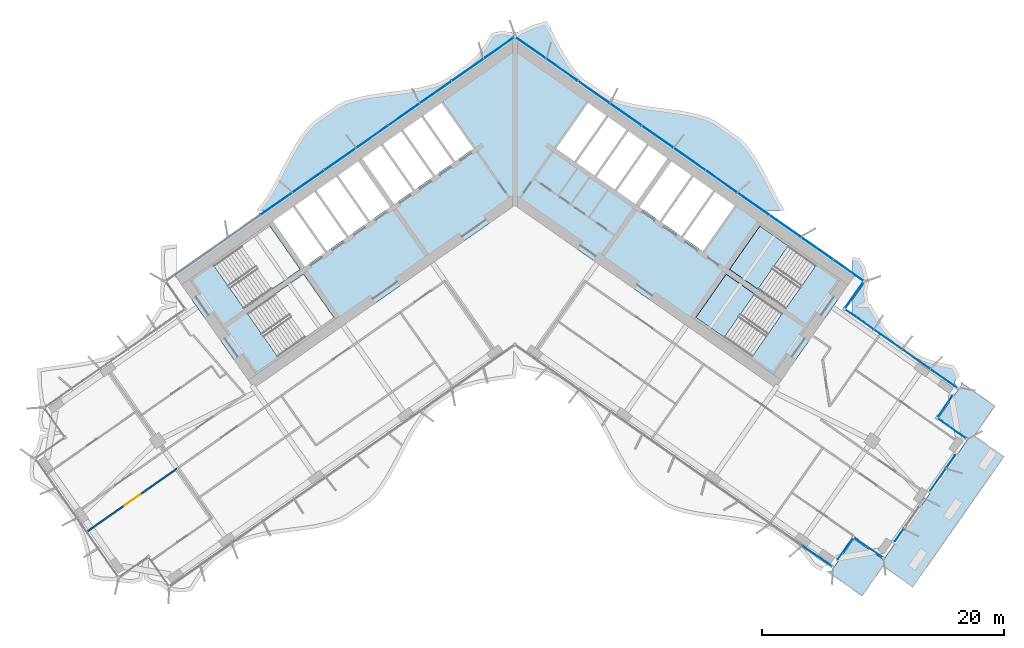
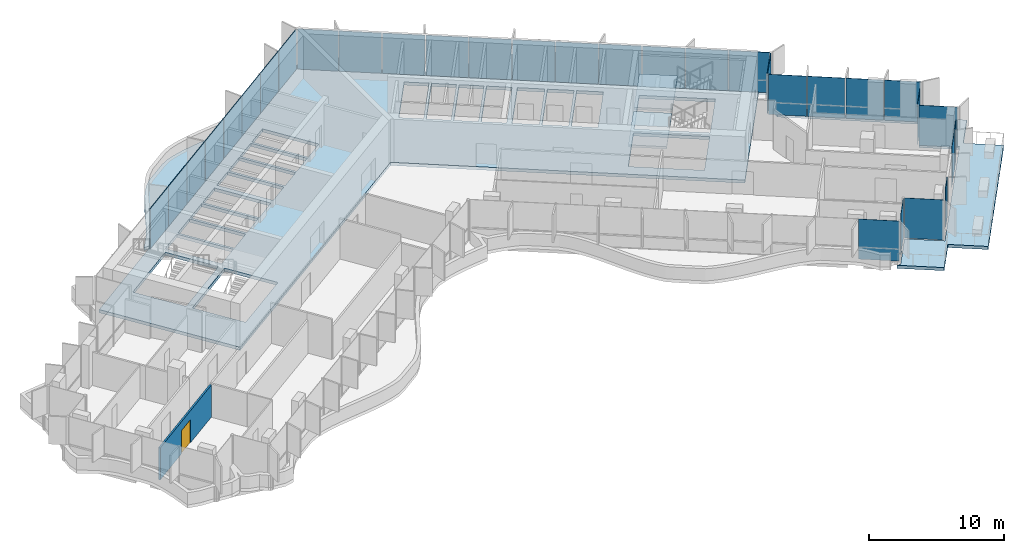
# One storey, part 11 of 22: 32 plates, 6 slabs, 1 door, 1 wall, 1 opening, 5 elements without a shape of their own.
"""IFC4 building model written with IfcOpenShell, lengths in metres."""

from ifc_helpers import new_model, si_unit, direction, frame, frame_2d, origin, origin_2d, place, context, subcontext, project, spatial, polyline, rectangle, outline, extrude, material, layer, layer_set, type_object, element, fill, aggregate, save


model = new_model("IFC4")

# Units and contexts
model_context = context("Model", 3, precision=1e-05, world=origin(), true_north=direction((0.0, 1.0)))
body_context = subcontext(model_context, "Body", "Model", "MODEL_VIEW")
ifc_project = project(units=[si_unit("LENGTHUNIT", "METRE"), si_unit("AREAUNIT", "SQUARE_METRE"), si_unit("VOLUMEUNIT", "CUBIC_METRE"), si_unit("PLANEANGLEUNIT", "RADIAN"), si_unit("MASSUNIT", "GRAM", prefix="KILO")], contexts=[model_context])

# Site, building, storey
site_placement = place(None, origin())
site = spatial("IfcSite", under=ifc_project, at=site_placement, CompositionType="ELEMENT")
building_placement = place(site_placement, origin())
building = spatial("IfcBuilding", under=site, at=building_placement, Name="Tel Ilan Convention Tower", CompositionType="ELEMENT")
storey_placement = place(building_placement, frame((0.0, 0.0, 143.699951171875)))
storey = spatial("IfcBuildingStorey", under=building, at=storey_placement, Name="L32", CompositionType="ELEMENT", Elevation=143.699951171875)

# Curtain wall, plates
ifc_material_1 = material(Name="Aluminium, bronze anodised", Category="aluminium")
curtain_wall_type_1 = type_object("IfcCurtainWallType", Name="CW4 STICK CURTAIN WALL, OFFICE TINTED GLASS", PredefinedType="NOTDEFINED", material=ifc_material_1)
curtain_wall_1_placement = place(storey_placement, origin())
curtain_wall_1 = element("IfcCurtainWall", 1, at=curtain_wall_1_placement, inside=storey, type_object=curtain_wall_type_1, Name="Curtain wall CW4-26.02", PredefinedType="NOTDEFINED")
ifc_material_2 = material(Name="Glass, bronze tinted, two-ply", Category="glass")
ifc_layer_1 = layer(ifc_material_2, 0.028076171875)
ifc_layer_set_1 = layer_set([ifc_layer_1], Name="CW GLASS PANEL 28")
plate_type_1 = type_object("IfcPlateType", Name="CW GLASS PANEL 28", PredefinedType="CURTAIN_PANEL", material=ifc_layer_set_1)
plate_1_placement = place(storey_placement, frame((34.935791015625, -23.854248046875, 0.0), z_axis=(0.0, 0.0, 1.0), x_axis=(0.573576436351, 0.819152044289, 0.0)))
plate_1 = element("IfcPlate", 2, at=plate_1_placement, type_object=plate_type_1, Name="Glass panel", PredefinedType="CURTAIN_PANEL", context=body_context, shape_type="SweptSolid", body=[
    extrude(rectangle(XDim=2.243896484375, YDim=0.028076171875, at=origin_2d()), origin(), (0.0, 0.0, 1.0), 3.6201171875),
])
plate_2_placement = place(storey_placement, frame((35.970458984375, -22.376708984375, 0.0), z_axis=(0.0, 0.0, 1.0), x_axis=(0.573576436351, 0.819152044289, 0.0)))
plate_2 = element("IfcPlate", 3, at=plate_2_placement, type_object=plate_type_1, Name="Glass panel", PredefinedType="CURTAIN_PANEL", context=body_context, shape_type="SweptSolid", body=[
    extrude(rectangle(XDim=1.243896484375, YDim=0.028076171875, at=origin_2d()), origin(), (0.0, 0.0, 1.0), 3.6201171875),
])
plate_3_placement = place(storey_placement, frame((36.09130859375, -19.656005859375, 0.0), z_axis=(0.0, 0.0, 1.0), x_axis=(-0.819152044289, 0.573576436351, 0.0)))
plate_3 = element("IfcPlate", 4, at=plate_3_placement, type_object=plate_type_1, Name="Glass panel", PredefinedType="CURTAIN_PANEL", context=body_context, shape_type="SweptSolid", body=[
    extrude(rectangle(XDim=2.875, YDim=0.028076171875, at=origin_2d()), origin(), (0.0, 0.0, 1.0), 3.6201171875),
])
plate_4_placement = place(storey_placement, frame((35.497802734375, -17.8212890625, 0.0), z_axis=(0.0, 0.0, 1.0), x_axis=(0.573576436351, 0.819152044289, 0.0)))
plate_4 = element("IfcPlate", 5, at=plate_4_placement, type_object=plate_type_1, Name="Glass panel", PredefinedType="CURTAIN_PANEL", context=body_context, shape_type="SweptSolid", body=[
    extrude(rectangle(XDim=2.123046875, YDim=0.028076171875, at=origin_2d()), origin(), (0.0, 0.0, 1.0), 3.6201171875),
])
plate_5_placement = place(storey_placement, frame((35.427978515625, -15.529052734375, 0.0), z_axis=(0.0, 0.0, 1.0), x_axis=(-0.819152044289, 0.573576436351, 0.0)))
plate_5 = element("IfcPlate", 6, at=plate_5_placement, type_object=plate_type_1, Name="Glass panel", PredefinedType="CURTAIN_PANEL", context=body_context, shape_type="SweptSolid", body=[
    extrude(rectangle(XDim=2.696044921875, YDim=0.028076171875, at=origin_2d()), origin(), (0.0, 0.0, 1.0), 3.6201171875),
])
plate_6_placement = place(storey_placement, frame((33.1318359375, -13.92138671875, 0.0), z_axis=(0.0, 0.0, 1.0), x_axis=(-0.819152044289, 0.573576436351, 0.0)))
plate_6 = element("IfcPlate", 7, at=plate_6_placement, type_object=plate_type_1, Name="Glass panel", PredefinedType="CURTAIN_PANEL", context=body_context, shape_type="SweptSolid", body=[
    extrude(rectangle(XDim=2.7900390625, YDim=0.028076171875, at=origin_2d()), origin(), (0.0, 0.0, 1.0), 3.6201171875),
])
plate_7_placement = place(storey_placement, frame((30.79736328125, -12.28662109375, 0.0), z_axis=(0.0, 0.0, 1.0), x_axis=(-0.819152044289, 0.573576436351, 0.0)))
plate_7 = element("IfcPlate", 8, at=plate_7_placement, type_object=plate_type_1, Name="Glass panel", PredefinedType="CURTAIN_PANEL", context=body_context, shape_type="SweptSolid", body=[
    extrude(rectangle(XDim=2.7900390625, YDim=0.028076171875, at=origin_2d()), origin(), (0.0, 0.0, 1.0), 3.6201171875),
])
plate_8_placement = place(storey_placement, frame((28.450927734375, -10.6435546875, 0.0), z_axis=(0.0, 0.0, 1.0), x_axis=(-0.819152044289, 0.573576436351, 0.0)))
plate_8 = element("IfcPlate", 9, at=plate_8_placement, type_object=plate_type_1, Name="Glass panel", PredefinedType="CURTAIN_PANEL", context=body_context, shape_type="SweptSolid", body=[
    extrude(rectangle(XDim=2.819091796875, YDim=0.028076171875, at=origin_2d()), origin(), (0.0, 0.0, 1.0), 3.6201171875),
])
aggregate(curtain_wall_1, [plate_1, plate_2, plate_3, plate_4, plate_5, plate_6, plate_7, plate_8])

curtain_wall_2_placement = place(storey_placement, origin())
curtain_wall_2 = element("IfcCurtainWall", 10, at=curtain_wall_2_placement, inside=storey, type_object=curtain_wall_type_1, Name="Curtain wall CW4-26.04", PredefinedType="NOTDEFINED")
plate_9_placement = place(storey_placement, frame((24.958251953125, -30.172119140625, 0.0), z_axis=(0.0, 0.0, 1.0), x_axis=(0.819152044289, -0.573576436351, 0.0)))
plate_9 = element("IfcPlate", 11, at=plate_9_placement, type_object=plate_type_1, Name="Glass panel", PredefinedType="CURTAIN_PANEL", context=body_context, shape_type="SweptSolid", body=[
    extrude(rectangle(XDim=3.05078125, YDim=0.028076171875, at=origin_2d()), origin(), (0.0, 0.0, 1.0), 3.6201171875),
])
plate_10_placement = place(storey_placement, frame((27.281494140625, -29.5556640625, 0.0), z_axis=(0.0, 0.0, 1.0), x_axis=(0.573576436351, 0.819152044289, 0.0)))
plate_10 = element("IfcPlate", 12, at=plate_10_placement, type_object=plate_type_1, Name="Glass panel", PredefinedType="CURTAIN_PANEL", context=body_context, shape_type="SweptSolid", body=[
    extrude(rectangle(XDim=2.123046875, YDim=0.028076171875, at=origin_2d()), origin(), (0.0, 0.0, 1.0), 3.6201171875),
])
plate_11_placement = place(storey_placement, frame((29.20849609375, -29.48583984375, 0.0), z_axis=(0.0, 0.0, 1.0), x_axis=(0.819152044289, -0.573576436351, 0.0)))
plate_11 = element("IfcPlate", 13, at=plate_11_placement, type_object=plate_type_1, Name="Glass panel", PredefinedType="CURTAIN_PANEL", context=body_context, shape_type="SweptSolid", body=[
    extrude(rectangle(XDim=2.875, YDim=0.028076171875, at=origin_2d()), origin(), (0.0, 0.0, 1.0), 3.6201171875),
])
plate_12_placement = place(storey_placement, frame((31.7236328125, -28.441650390625, 0.0), z_axis=(0.0, 0.0, 1.0), x_axis=(0.573576436351, 0.819152044289, 0.0)))
plate_12 = element("IfcPlate", 14, at=plate_12_placement, type_object=plate_type_1, Name="Glass panel", PredefinedType="CURTAIN_PANEL", context=body_context, shape_type="SweptSolid", body=[
    extrude(rectangle(XDim=1.243896484375, YDim=0.028076171875, at=origin_2d()), origin(), (0.0, 0.0, 1.0), 3.6201171875),
])
aggregate(curtain_wall_2, [plate_9, plate_10, plate_11, plate_12])

ifc_material_3 = material(Name="Aluminium, bronze anodised", Category="aluminium")
curtain_wall_type_2 = type_object("IfcCurtainWallType", Name="CW2 STICK CURTAIN WALL, SPANDREL PANELS", PredefinedType="NOTDEFINED", material=ifc_material_3)
curtain_wall_3_placement = place(storey_placement, origin())
curtain_wall_3 = element("IfcCurtainWall", 15, at=curtain_wall_3_placement, inside=storey, type_object=curtain_wall_type_2, Name="Curtain wall CW2-26.03", PredefinedType="NOTDEFINED")
ifc_material_4 = material(Name="Aluminium composite panel, bronze anodised", Category="aluminium")
ifc_layer_2 = layer(ifc_material_4, 0.06005859375)
ifc_layer_set_2 = layer_set([ifc_layer_2], Name="CW SPANDREL PANEL 60")
plate_type_2 = type_object("IfcPlateType", Name="CW SPANDREL PANEL 60", PredefinedType="CURTAIN_PANEL", material=ifc_layer_set_2)
plate_13_placement = place(storey_placement, frame((28.033935546875, -8.60546875, 0.0), z_axis=(0.0, 0.0, 1.0), x_axis=(0.573576436351, 0.819152044289, 0.0)))
plate_13 = element("IfcPlate", 16, at=plate_13_placement, type_object=plate_type_2, Name="Spandrel panel", PredefinedType="CURTAIN_PANEL", context=body_context, shape_type="SweptSolid", body=[
    extrude(rectangle(XDim=2.658935546875, YDim=0.06005859375, at=origin_2d()), origin(), (0.0, 0.0, 1.0), 3.6201171875),
])
plate_14_placement = place(storey_placement, frame((27.5400390625, -6.587646484375, 0.0), z_axis=(0.0, 0.0, 1.0), x_axis=(-0.819152044289, 0.573576436351, 0.0)))
plate_14 = element("IfcPlate", 17, at=plate_14_placement, type_object=plate_type_2, Name="Spandrel panel", PredefinedType="CURTAIN_PANEL", context=body_context, shape_type="SweptSolid", body=[
    extrude(rectangle(XDim=3.0439453125, YDim=0.06005859375, at=origin_2d()), origin(), (0.0, 0.0, 1.0), 3.6201171875),
])
plate_15_placement = place(storey_placement, frame((24.95263671875, -4.77587890625, 0.0), z_axis=(0.0, 0.0, 1.0), x_axis=(-0.819152044289, 0.573576436351, 0.0)))
plate_15 = element("IfcPlate", 18, at=plate_15_placement, type_object=plate_type_2, Name="Spandrel panel", PredefinedType="CURTAIN_PANEL", context=body_context, shape_type="SweptSolid", body=[
    extrude(rectangle(XDim=3.15380859375, YDim=0.06005859375, at=origin_2d()), origin(), (0.0, 0.0, 1.0), 3.6201171875),
])
plate_16_placement = place(storey_placement, frame((22.31982421875, -2.9326171875, 0.0), z_axis=(0.0, 0.0, 1.0), x_axis=(-0.819152044289, 0.573576436351, 0.0)))
plate_16 = element("IfcPlate", 19, at=plate_16_placement, type_object=plate_type_2, Name="Spandrel panel", PredefinedType="CURTAIN_PANEL", context=body_context, shape_type="SweptSolid", body=[
    extrude(rectangle(XDim=3.15380859375, YDim=0.06005859375, at=origin_2d()), origin(), (0.0, 0.0, 1.0), 3.6201171875),
])
plate_17_placement = place(storey_placement, frame((19.687255859375, -1.089111328125, 0.0), z_axis=(0.0, 0.0, 1.0), x_axis=(-0.819152044289, 0.573576436351, 0.0)))
plate_17 = element("IfcPlate", 20, at=plate_17_placement, type_object=plate_type_2, Name="Spandrel panel", PredefinedType="CURTAIN_PANEL", context=body_context, shape_type="SweptSolid", body=[
    extrude(rectangle(XDim=3.15380859375, YDim=0.06005859375, at=origin_2d()), origin(), (0.0, 0.0, 1.0), 3.6201171875),
])
plate_18_placement = place(storey_placement, frame((17.0546875, 0.754150390625, 0.0), z_axis=(0.0, 0.0, 1.0), x_axis=(-0.819152044289, 0.573576436351, 0.0)))
plate_18 = element("IfcPlate", 21, at=plate_18_placement, type_object=plate_type_2, Name="Spandrel panel", PredefinedType="CURTAIN_PANEL", context=body_context, shape_type="SweptSolid", body=[
    extrude(rectangle(XDim=3.15380859375, YDim=0.06005859375, at=origin_2d()), origin(), (0.0, 0.0, 1.0), 3.6201171875),
])
plate_19_placement = place(storey_placement, frame((14.422119140625, 2.59765625, 0.0), z_axis=(0.0, 0.0, 1.0), x_axis=(-0.819152044289, 0.573576436351, 0.0)))
plate_19 = element("IfcPlate", 22, at=plate_19_placement, type_object=plate_type_2, Name="Spandrel panel", PredefinedType="CURTAIN_PANEL", context=body_context, shape_type="SweptSolid", body=[
    extrude(rectangle(XDim=3.15380859375, YDim=0.06005859375, at=origin_2d()), origin(), (0.0, 0.0, 1.0), 3.6201171875),
])
plate_20_placement = place(storey_placement, frame((11.789306640625, 4.44091796875, 0.0), z_axis=(0.0, 0.0, 1.0), x_axis=(-0.819152044289, 0.573576436351, 0.0)))
plate_20 = element("IfcPlate", 23, at=plate_20_placement, type_object=plate_type_2, Name="Spandrel panel", PredefinedType="CURTAIN_PANEL", context=body_context, shape_type="SweptSolid", body=[
    extrude(rectangle(XDim=3.15380859375, YDim=0.06005859375, at=origin_2d()), origin(), (0.0, 0.0, 1.0), 3.6201171875),
])
plate_21_placement = place(storey_placement, frame((9.15673828125, 6.284423828125, 0.0), z_axis=(0.0, 0.0, 1.0), x_axis=(-0.819152044289, 0.573576436351, 0.0)))
plate_21 = element("IfcPlate", 24, at=plate_21_placement, type_object=plate_type_2, Name="Spandrel panel", PredefinedType="CURTAIN_PANEL", context=body_context, shape_type="SweptSolid", body=[
    extrude(rectangle(XDim=3.15380859375, YDim=0.06005859375, at=origin_2d()), origin(), (0.0, 0.0, 1.0), 3.6201171875),
])
plate_22_placement = place(storey_placement, frame((6.524169921875, 8.127685546875, 0.0), z_axis=(0.0, 0.0, 1.0), x_axis=(-0.819152044289, 0.573576436351, 0.0)))
plate_22 = element("IfcPlate", 25, at=plate_22_placement, type_object=plate_type_2, Name="Spandrel panel", PredefinedType="CURTAIN_PANEL", context=body_context, shape_type="SweptSolid", body=[
    extrude(rectangle(XDim=3.15380859375, YDim=0.06005859375, at=origin_2d()), origin(), (0.0, 0.0, 1.0), 3.6201171875),
])
plate_23_placement = place(storey_placement, frame((3.8916015625, 9.97119140625, 0.0), z_axis=(0.0, 0.0, 1.0), x_axis=(-0.819152044289, 0.573576436351, 0.0)))
plate_23 = element("IfcPlate", 26, at=plate_23_placement, type_object=plate_type_2, Name="Spandrel panel", PredefinedType="CURTAIN_PANEL", context=body_context, shape_type="SweptSolid", body=[
    extrude(rectangle(XDim=3.15380859375, YDim=0.06005859375, at=origin_2d()), origin(), (0.0, 0.0, 1.0), 3.6201171875),
])
plate_24_placement = place(storey_placement, frame((1.303955078125, 11.782958984375, 0.0), z_axis=(0.0, 0.0, 1.0), x_axis=(-0.819152044289, 0.573576436351, 0.0)))
plate_24 = element("IfcPlate", 27, at=plate_24_placement, type_object=plate_type_2, Name="Spandrel panel", PredefinedType="CURTAIN_PANEL", context=body_context, shape_type="SweptSolid", body=[
    extrude(rectangle(XDim=3.0439453125, YDim=0.06005859375, at=origin_2d()), origin(), (0.0, 0.0, 1.0), 3.6201171875),
])
plate_25_placement = place(storey_placement, frame((-1.303955078125, 11.782958984375, 0.0), z_axis=(0.0, 0.0, 1.0), x_axis=(-0.819152044289, -0.573576436351, 0.0)))
plate_25 = element("IfcPlate", 28, at=plate_25_placement, type_object=plate_type_2, Name="Spandrel panel", PredefinedType="CURTAIN_PANEL", context=body_context, shape_type="SweptSolid", body=[
    extrude(rectangle(XDim=3.0439453125, YDim=0.06005859375, at=origin_2d()), origin(), (0.0, 0.0, 1.0), 3.6201171875),
])
plate_26_placement = place(storey_placement, frame((-3.8916015625, 9.97119140625, 0.0), z_axis=(0.0, 0.0, 1.0), x_axis=(-0.819152044289, -0.573576436351, 0.0)))
plate_26 = element("IfcPlate", 29, at=plate_26_placement, type_object=plate_type_2, Name="Spandrel panel", PredefinedType="CURTAIN_PANEL", context=body_context, shape_type="SweptSolid", body=[
    extrude(rectangle(XDim=3.15380859375, YDim=0.06005859375, at=origin_2d()), origin(), (0.0, 0.0, 1.0), 3.6201171875),
])
plate_27_placement = place(storey_placement, frame((-6.524169921875, 8.127685546875, 0.0), z_axis=(0.0, 0.0, 1.0), x_axis=(-0.819152044289, -0.573576436351, 0.0)))
plate_27 = element("IfcPlate", 30, at=plate_27_placement, type_object=plate_type_2, Name="Spandrel panel", PredefinedType="CURTAIN_PANEL", context=body_context, shape_type="SweptSolid", body=[
    extrude(rectangle(XDim=3.15380859375, YDim=0.06005859375, at=origin_2d()), origin(), (0.0, 0.0, 1.0), 3.6201171875),
])
plate_28_placement = place(storey_placement, frame((-9.15673828125, 6.284423828125, 0.0), z_axis=(0.0, 0.0, 1.0), x_axis=(-0.819152044289, -0.573576436351, 0.0)))
plate_28 = element("IfcPlate", 31, at=plate_28_placement, type_object=plate_type_2, Name="Spandrel panel", PredefinedType="CURTAIN_PANEL", context=body_context, shape_type="SweptSolid", body=[
    extrude(rectangle(XDim=3.15380859375, YDim=0.06005859375, at=origin_2d()), origin(), (0.0, 0.0, 1.0), 3.6201171875),
])
plate_29_placement = place(storey_placement, frame((-11.789306640625, 4.44091796875, 0.0), z_axis=(0.0, 0.0, 1.0), x_axis=(-0.819152044289, -0.573576436351, 0.0)))
plate_29 = element("IfcPlate", 32, at=plate_29_placement, type_object=plate_type_2, Name="Spandrel panel", PredefinedType="CURTAIN_PANEL", context=body_context, shape_type="SweptSolid", body=[
    extrude(rectangle(XDim=3.15380859375, YDim=0.06005859375, at=origin_2d()), origin(), (0.0, 0.0, 1.0), 3.6201171875),
])
plate_30_placement = place(storey_placement, frame((-14.422119140625, 2.59765625, 0.0), z_axis=(0.0, 0.0, 1.0), x_axis=(-0.819152044289, -0.573576436351, 0.0)))
plate_30 = element("IfcPlate", 33, at=plate_30_placement, type_object=plate_type_2, Name="Spandrel panel", PredefinedType="CURTAIN_PANEL", context=body_context, shape_type="SweptSolid", body=[
    extrude(rectangle(XDim=3.15380859375, YDim=0.06005859375, at=origin_2d()), origin(), (0.0, 0.0, 1.0), 3.6201171875),
])
plate_31_placement = place(storey_placement, frame((-17.0546875, 0.754150390625, 0.0), z_axis=(0.0, 0.0, 1.0), x_axis=(-0.819152044289, -0.573576436351, 0.0)))
plate_31 = element("IfcPlate", 34, at=plate_31_placement, type_object=plate_type_2, Name="Spandrel panel", PredefinedType="CURTAIN_PANEL", context=body_context, shape_type="SweptSolid", body=[
    extrude(rectangle(XDim=3.15380859375, YDim=0.06005859375, at=origin_2d()), origin(), (0.0, 0.0, 1.0), 3.6201171875),
])
plate_32_placement = place(storey_placement, frame((-19.687255859375, -1.089111328125, 0.0), z_axis=(0.0, 0.0, 1.0), x_axis=(-0.819152044289, -0.573576436351, 0.0)))
plate_32 = element("IfcPlate", 35, at=plate_32_placement, type_object=plate_type_2, Name="Spandrel panel", PredefinedType="CURTAIN_PANEL", context=body_context, shape_type="SweptSolid", body=[
    extrude(rectangle(XDim=3.15380859375, YDim=0.06005859375, at=origin_2d()), origin(), (0.0, 0.0, 1.0), 3.6201171875),
])
aggregate(curtain_wall_3, [plate_13, plate_14, plate_15, plate_16, plate_17, plate_18, plate_19, plate_20, plate_21, plate_22, plate_23, plate_24, plate_25, plate_26, plate_27, plate_28, plate_29, plate_30, plate_31, plate_32])

# Stair, slab
ifc_material_5 = material(Name="Concrete C40/50", Category="concrete")
stair_type = type_object("IfcStairType", Name="Pressurised Exit Stair 22 risers 177 mm", PredefinedType="HALF_TURN_STAIR", material=ifc_material_5)
stair_1_placement = place(storey_placement, origin())
stair_1 = element("IfcStair", 36, at=stair_1_placement, inside=storey, type_object=stair_type, Name="L32 Pressurised Stair S3", PredefinedType="HALF_TURN_STAIR")
ifc_material_6 = material(Name="Concrete C40/50", Category="concrete")
ifc_layer_3 = layer(ifc_material_6, 0.199951171875)
ifc_layer_set_3 = layer_set([ifc_layer_3], Name="Concrete Stair Landing 200 mm C40/50")
slab_type_1 = type_object("IfcSlabType", Name="Concrete Stair Landing 200 mm", PredefinedType="LANDING", material=ifc_layer_set_3)
slab_1_placement = place(storey_placement, frame((0.0, 0.0, 1.75)))
slab_1 = element("IfcSlab", 37, at=slab_1_placement, type_object=slab_type_1, Name="S3 landing 1", PredefinedType="LANDING", context=body_context, shape_type="SweptSolid", body=[
    extrude(outline(polyline([(22.561767578125, -4.566650390625), (20.226318359375, -2.931640625), (17.7314453125, -6.494873046875), (20.066650390625, -8.130126953125), (22.561767578125, -4.566650390625)])), origin(), (0.0, 0.0, 1.0), 0.199951171875),
])
aggregate(stair_1, [slab_1])

stair_2_placement = place(storey_placement, origin())
stair_2 = element("IfcStair", 38, at=stair_2_placement, inside=storey, type_object=stair_type, Name="L32 Pressurised Stair S4", PredefinedType="HALF_TURN_STAIR")
slab_2_placement = place(storey_placement, frame((0.0, 0.0, 1.75)))
slab_2 = element("IfcSlab", 39, at=slab_2_placement, type_object=slab_type_1, Name="S4 landing 1", PredefinedType="LANDING", context=body_context, shape_type="SweptSolid", body=[
    extrude(outline(polyline([(19.77978515625, -8.53955078125), (17.444580078125, -6.904541015625), (14.949462890625, -10.4677734375), (17.28466796875, -12.10302734375), (19.77978515625, -8.53955078125)])), origin(), (0.0, 0.0, 1.0), 0.199951171875),
])
aggregate(stair_2, [slab_2])

# Slabs
ifc_material_7 = material(Name="Concrete C40/50", Category="concrete")
ifc_layer_4 = layer(ifc_material_7, 0.280029296875)
ifc_layer_set_4 = layer_set([ifc_layer_4], Name="Core Floor Slab 280 mm C40/50")
slab_type_2 = type_object("IfcSlabType", Name="Core Floor Slab 280 mm C40/50", PredefinedType="FLOOR", material=ifc_layer_set_4)
slab_3_placement = place(storey_placement, frame((0.0, 0.0, -0.280029296875)))
element("IfcSlab", 40, at=slab_3_placement, inside=storey, type_object=slab_type_2, Name="L32 core floor 1", PredefinedType="FLOOR", context=body_context, shape_type="SweptSolid", body=[
    extrude(outline(polyline([(-28.1396484375, -6.885498046875), (0.0, 12.818115234375), (28.1396484375, -6.885498046875), (21.54345703125, -16.3056640625), (0.0, -1.220703125), (-21.54345703125, -16.3056640625), (-28.1396484375, -6.885498046875)]), holes=[polyline([(-14.949462890625, -10.4677734375), (-17.444580078125, -6.904541015625), (-22.072021484375, -10.144775390625), (-19.5771484375, -13.7080078125), (-14.949462890625, -10.4677734375)]), polyline([(-17.7314453125, -6.494873046875), (-20.226318359375, -2.931640625), (-24.85400390625, -6.171875), (-22.35888671875, -9.735107421875), (-17.7314453125, -6.494873046875)]), polyline([(-18.313720703125, -1.34814453125), (-19.972412109375, -2.509521484375), (-17.333984375, -6.277587890625), (-15.67529296875, -5.1162109375), (-18.313720703125, -1.34814453125)]), polyline([(-16.531982421875, -0.1005859375), (-18.14990234375, -1.2333984375), (-15.511474609375, -5.00146484375), (-13.8935546875, -3.86865234375), (-16.531982421875, -0.1005859375)]), polyline([(-14.75048828125, 1.14697265625), (-16.368408203125, 0.01416015625), (-13.729736328125, -3.75390625), (-12.112060546875, -2.62109375), (-14.75048828125, 1.14697265625)]), polyline([(-12.927734375, 2.423095703125), (-14.586669921875, 1.26171875), (-11.947998046875, -2.506591796875), (-10.289306640625, -1.344970703125), (-12.927734375, 2.423095703125)]), polyline([(-11.053955078125, 3.735107421875), (-12.60009765625, 2.652587890625), (-9.961669921875, -1.115478515625), (-8.41552734375, -0.032958984375), (-11.053955078125, 3.735107421875)]), polyline([(-6.74658203125, 1.1357421875), (-9.385009765625, 4.90380859375), (-10.89013671875, 3.849853515625), (-8.251708984375, 0.081787109375), (-6.74658203125, 1.1357421875)]), polyline([(-5.077392578125, 2.304443359375), (-7.716064453125, 6.072509765625), (-9.22119140625, 5.0185546875), (-6.582763671875, 1.25048828125), (-5.077392578125, 2.304443359375)]), polyline([(-6.046875, 7.2412109375), (-7.552001953125, 6.187255859375), (-4.913818359375, 2.419189453125), (-3.408447265625, 3.47314453125), (-6.046875, 7.2412109375)]), polyline([(17.444580078125, -6.904541015625), (14.949462890625, -10.4677734375), (19.5771484375, -13.7080078125), (22.072021484375, -10.144775390625), (17.444580078125, -6.904541015625)]), polyline([(20.226318359375, -2.931640625), (17.7314453125, -6.494873046875), (22.35888671875, -9.735107421875), (24.85400390625, -6.171875), (20.226318359375, -2.931640625)]), polyline([(13.8935546875, -3.86865234375), (15.511474609375, -5.00146484375), (18.14990234375, -1.2333984375), (16.531982421875, -0.1005859375), (13.8935546875, -3.86865234375)]), polyline([(12.112060546875, -2.62109375), (13.729736328125, -3.75390625), (16.368408203125, 0.01416015625), (14.75048828125, 1.14697265625), (12.112060546875, -2.62109375)]), polyline([(11.947998046875, -2.506591796875), (14.586669921875, 1.26171875), (12.927734375, 2.423095703125), (10.289306640625, -1.344970703125), (11.947998046875, -2.506591796875)]), polyline([(9.961669921875, -1.115478515625), (12.60009765625, 2.652587890625), (11.053955078125, 3.735107421875), (8.41552734375, -0.032958984375), (9.961669921875, -1.115478515625)]), polyline([(8.251708984375, 0.081787109375), (10.89013671875, 3.849853515625), (9.385009765625, 4.90380859375), (6.74658203125, 1.1357421875), (8.251708984375, 0.081787109375)]), polyline([(5.077392578125, 2.304443359375), (6.582763671875, 1.25048828125), (9.22119140625, 5.0185546875), (7.716064453125, 6.072509765625), (5.077392578125, 2.304443359375)]), polyline([(3.408447265625, 3.47314453125), (4.913818359375, 2.419189453125), (7.552001953125, 6.187255859375), (6.046875, 7.2412109375), (3.408447265625, 3.47314453125)])]), origin(), (0.0, 0.0, 1.0), 0.280029296875),
])
ifc_material_8 = material(Name="Concrete C40/50", Category="concrete")
ifc_layer_5 = layer(ifc_material_8, 0.280029296875)
ifc_layer_set_5 = layer_set([ifc_layer_5], Name="Edge Ledge Slab 280 mm C40/50")
slab_type_3 = type_object("IfcSlabType", Name="Edge Ledge Slab 280 mm C40/50", PredefinedType="FLOOR", material=ifc_layer_set_5)
slab_4_placement = place(storey_placement, frame((0.0, 0.0, -0.280029296875)))
element("IfcSlab", 41, at=slab_4_placement, inside=storey, type_object=slab_type_3, Name="L32 edge ledge 2", PredefinedType="FLOOR", context=body_context, shape_type="SweptSolid", body=[
    extrude(outline(polyline([(-18.44677734375, 3.209228515625), (-18.0390625, 3.910888671875), (-17.604736328125, 4.574951171875), (-17.13671875, 5.190185546875), (-16.6015625, 5.71044921875), (-14.791748046875, 6.977783203125), (-14.1416015625, 7.33349609375), (-13.41064453125, 7.573486328125), (-12.644287109375, 7.76318359375), (-11.849853515625, 7.91259765625), (-11.03564453125, 8.033935546875), (-10.211181640625, 8.140380859375), (-9.385986328125, 8.24609375), (-8.570068359375, 8.36474609375), (-7.7724609375, 8.509765625), (-7.002197265625, 8.693603515625), (-6.26611328125, 8.926513671875), (-5.601806640625, 9.261962890625), (-3.7919921875, 10.529296875), (-3.2421875, 11.0283203125), (-2.769287109375, 11.63671875), (-2.3310546875, 12.294921875), (-1.919921875, 12.991943359375), (-1.14208984375, 13.1650390625), (-0.172119140625, 13.06396484375), (-0.168701171875, 13.05908203125), (-0.11474609375, 13.09521484375), (0.0, 13.1181640625), (0.11474609375, 13.09521484375), (0.168701171875, 13.05908203125), (0.172119140625, 13.06396484375), (1.4794921875, 13.647216796875), (2.6162109375, 13.986328125), (3.000244140625, 13.250732421875), (3.38134765625, 12.510986328125), (3.770263671875, 11.7822265625), (4.176513671875, 11.078369140625), (4.608642578125, 10.41162109375), (5.074462890625, 9.792724609375), (5.601806640625, 9.261962890625), (7.411865234375, 7.99462890625), (8.054931640625, 7.62890625), (8.783447265625, 7.385498046875), (9.547607421875, 7.19287109375), (10.340576171875, 7.041015625), (11.15380859375, 6.91845703125), (11.977783203125, 6.811279296875), (12.80322265625, 6.7060546875), (13.6201171875, 6.588623046875), (14.419189453125, 6.44580078125), (15.191650390625, 6.2646484375), (15.929931640625, 6.03515625), (16.6015625, 5.71044921875), (18.41162109375, 4.443115234375), (18.96826171875, 3.9541015625), (19.44384765625, 3.34912109375), (19.884033203125, 2.69384765625), (20.296142578125, 1.998291015625), (20.688720703125, 1.27490234375), (21.07080078125, 0.53662109375), (21.4521484375, -0.202880859375), (21.8427734375, -0.928955078125), (22.25341796875, -1.631591796875), (20.63623046875, -1.631591796875), (0.0, 12.818115234375), (-20.63623046875, -1.631591796875), (-21.30126953125, -1.631591796875), (-20.849609375, -1.0634765625), (-20.4072265625, -0.4111328125), (-19.993408203125, 0.281982421875), (-19.60009765625, 1.004150390625), (-19.217529296875, 1.741943359375), (-18.83642578125, 2.481689453125), (-18.44677734375, 3.209228515625)])), origin(), (0.0, 0.0, 1.0), 0.280029296875),
])
slab_5_placement = place(storey_placement, frame((0.0, 0.0, -0.280029296875)))
element("IfcSlab", 42, at=slab_5_placement, inside=storey, type_object=slab_type_3, Name="L32 edge ledge 3", PredefinedType="FLOOR", context=body_context, shape_type="SweptSolid", body=[
    extrude(outline(polyline([(29.2587890625, -7.458984375), (29.236083984375, -7.57373046875), (29.199951171875, -7.6279296875), (29.20458984375, -7.631103515625), (29.044921875, -8.373779296875), (29.194091796875, -9.332763671875), (29.132080078125, -9.36474609375), (29.356201171875, -9.3759765625), (29.74560546875, -10.06201171875), (30.151123046875, -10.72509765625), (30.5849609375, -11.347900390625), (31.052978515625, -11.92138671875), (31.6103515625, -12.36767578125), (33.361328125, -13.59375), (34.017333984375, -13.899169921875), (34.732421875, -14.1201171875), (35.47900390625, -14.2958984375), (36.246826171875, -14.44140625), (36.63134765625, -15.134521484375), (36.689208984375, -15.361572265625), (36.650390625, -15.37451171875), (36.605712890625, -15.39453125), (36.56298828125, -15.418701171875), (36.52294921875, -15.447021484375), (36.48583984375, -15.479248046875), (36.4521484375, -15.514892578125), (36.422119140625, -15.5537109375), (36.39599609375, -15.59521484375), (36.3740234375, -15.63916015625), (36.3564453125, -15.684814453125), (36.343505859375, -15.732177734375), (36.335205078125, -15.780517578125), (36.331787109375, -15.82958984375), (36.3330078125, -15.878662109375), (36.339111328125, -15.92724609375), (36.35009765625, -15.97509765625), (36.365478515625, -16.021728515625), (36.392822265625, -16.08251953125), (27.875, -10.1181640625), (27.875, -9.007080078125), (28.958740234375, -7.458984375), (27.875, -6.7001953125), (27.875, -5.485595703125), (28.465576171875, -5.595458984375), (28.894287109375, -6.267333984375), (29.130859375, -7.21337890625), (29.127685546875, -7.218017578125), (29.1708984375, -7.246826171875), (29.236083984375, -7.34423828125), (29.2587890625, -7.458984375)])), origin(), (0.0, 0.0, 1.0), 0.280029296875),
])
ifc_material_9 = material(Name="Concrete C40/50", Category="concrete")
ifc_layer_6 = layer(ifc_material_9, 0.280029296875)
ifc_layer_set_6 = layer_set([ifc_layer_6], Name="Terrace Deck Slab 280 mm C40/50")
slab_type_4 = type_object("IfcSlabType", Name="Terrace Deck Slab 280 mm C40/50", PredefinedType="FLOOR", material=ifc_layer_set_6)
slab_6_placement = place(storey_placement, frame((0.0, 0.0, -0.280029296875)))
element("IfcSlab", 43, at=slab_6_placement, inside=storey, type_object=slab_type_4, Name="L32 terrace deck 1", PredefinedType="FLOOR", context=body_context, shape_type="SweptSolid", body=[
    extrude(outline(polyline([(30.376953125, -30.975341796875), (28.65625, -33.4326171875), (25.773193359375, -31.4140625), (26.080078125, -31.44580078125), (27.972900390625, -28.74267578125), (30.43017578125, -30.46337890625), (37.427978515625, -20.469482421875), (34.970458984375, -18.748779296875), (36.86328125, -16.045654296875), (36.806396484375, -15.822998046875), (39.611572265625, -17.786865234375), (37.890869140625, -20.244384765625), (40.34814453125, -21.965087890625), (32.83447265625, -32.696044921875), (30.376953125, -30.975341796875)])), origin(), (0.0, 0.0, 1.0), 0.280029296875),
])

# Wall, opening, door
ifc_material_10 = material(Name="Plasterboard on Steel Studs", Category="steel")
ifc_layer_7 = layer(ifc_material_10, 0.14990234375)
ifc_layer_set_7 = layer_set([ifc_layer_7], Name="Fire-rated Partition 150 EI 60")
wall_type = type_object("IfcWallType", Name="Fire-rated Partition 150 EI 60", PredefinedType="PARTITIONING", material=ifc_layer_set_7)
wall_placement = place(storey_placement, frame((-27.8818359375, -22.941162109375, 0.0), z_axis=(0.0, 0.0, 1.0), x_axis=(-0.81915291695, -0.57357519006, 0.0)))
wall = element("IfcWall", 44, at=wall_placement, inside=storey, type_object=wall_type, Name="Partition 010", PredefinedType="PARTITIONING", context=body_context, shape_type="SweptSolid", body=[
    extrude(rectangle(XDim=9.001953125, YDim=0.14990234375, at=frame_2d((4.5009765625, 0.0))), origin(), (0.0, 0.0, 1.0), 2.900146484375),
])
opening_placement = place(wall_placement, frame((3.700927734375, 0.0, 0.0)))
opening = element("IfcOpeningElement", 45, at=opening_placement, cuts=wall, Name="Opening L32-004", PredefinedType="OPENING", context=body_context, shape_type="SweptSolid", body=[
    extrude(rectangle(XDim=1.60009765625, YDim=2.10009765625, at=frame_2d((0.800048828125, 1.050048828125))), frame((0.0, 0.0849609375, 0.0), z_axis=(0.0, -1.0, 0.0), x_axis=(1.0, 0.0, 0.0)), (0.0, 0.0, 1.0), 0.169921875),
])
ifc_material_11 = material(Name="Timber Door Leaf in Steel Frame", Category="steel")
door_type = type_object("IfcDoorType", Name="Tenant Suite Entrance Fire Door 1600x2100", OperationType="NOTDEFINED", PredefinedType="DOOR", material=ifc_material_11)
door_placement = place(opening_placement, origin())
door = element("IfcDoor", 46, at=door_placement, inside=storey, type_object=door_type, Name="Door L32-004", OperationType="DOUBLE_DOOR_SINGLE_SWING", OverallHeight=2.10009765625, OverallWidth=1.60009765625, PredefinedType="DOOR", context=body_context, shape_type="SweptSolid", body=[
    extrude(rectangle(XDim=1.60009765625, YDim=2.10009765625, at=frame_2d((0.800048828125, 1.050048828125))), frame((0.0, 0.02490234375, 0.0), z_axis=(0.0, -1.0, 0.0), x_axis=(1.0, 0.0, 0.0)), (0.0, 0.0, 1.0), 0.050048828125),
])
fill(opening, door)

save(model, "model.ifc")
